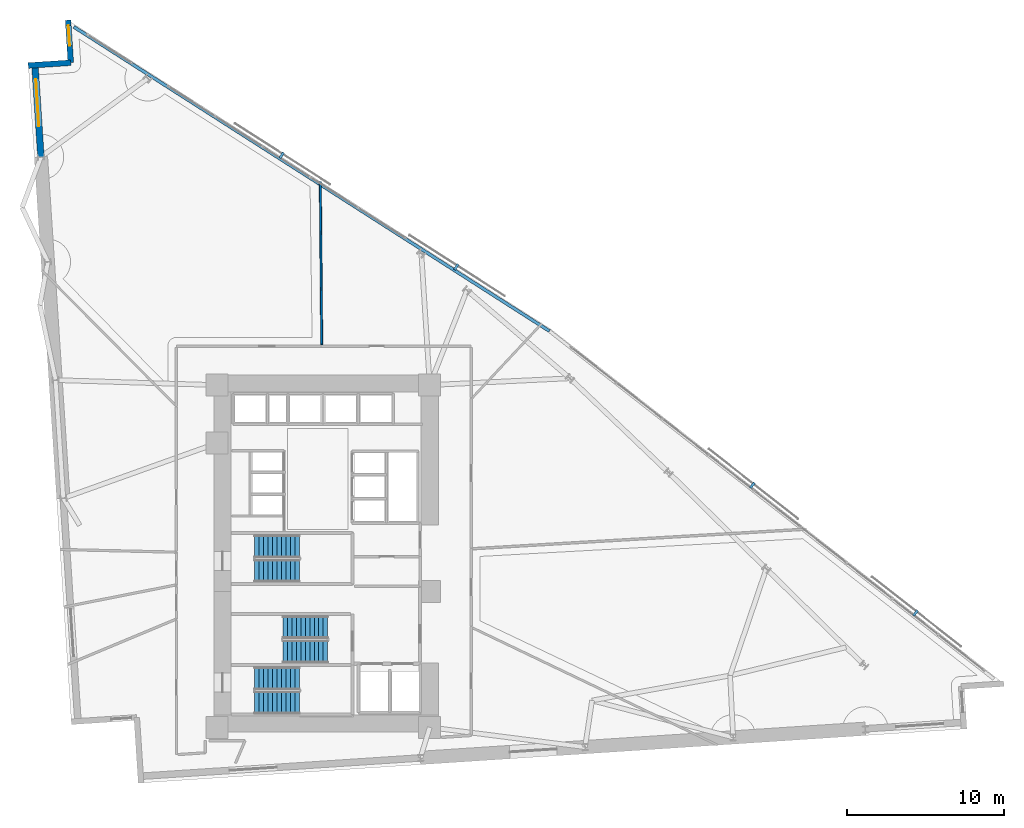
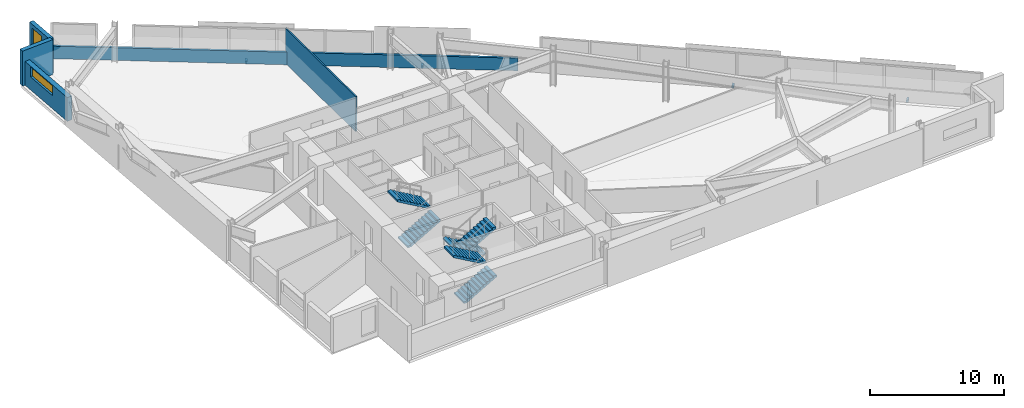
# One storey, part 13 of 15: 6 stair flights, 5 walls, 4 discrete accessories, 2 windows, 2 openings, 3 elements without a shape of their own.
"""IFC4 building model written with IfcOpenShell, lengths in metres."""

from ifc_helpers import new_model, si_unit, direction, frame, frame_2d, origin, origin_2d, place, context, subcontext, project, spatial, polyline, rectangle, outline, extrude, material, layer, layer_set, type_object, element, fill, aggregate, save


model = new_model("IFC4")

# Units and contexts
model_context = context("Model", 3, precision=1e-05, world=origin(), true_north=direction((0.0, 1.0)))
body_context = subcontext(model_context, "Body", "Model", "MODEL_VIEW")
ifc_project = project(units=[si_unit("LENGTHUNIT", "METRE"), si_unit("AREAUNIT", "SQUARE_METRE"), si_unit("VOLUMEUNIT", "CUBIC_METRE"), si_unit("PLANEANGLEUNIT", "RADIAN"), si_unit("MASSUNIT", "GRAM", prefix="KILO")], contexts=[model_context])

# Site, building, storey
site_placement = place(None, origin())
site = spatial("IfcSite", under=ifc_project, at=site_placement, CompositionType="ELEMENT")
building_placement = place(site_placement, origin())
building = spatial("IfcBuilding", under=site, at=building_placement, Name="Narakoshi Arena Tower", CompositionType="ELEMENT")
storey_placement = place(building_placement, frame((0.0, 0.0, 92.10009765625)))
storey = spatial("IfcBuildingStorey", under=building, at=storey_placement, Name="L24", CompositionType="ELEMENT", Elevation=92.10009765625)

# Walls
ifc_material_1 = material(Name="Precast concrete C45/55", Category="concrete")
ifc_layer_1 = layer(ifc_material_1, 0.25)
ifc_layer_set_1 = layer_set([ifc_layer_1], Name="Precast concrete C45/55")
wall_type_1 = type_object("IfcWallType", Name="WL-PARA-250", PredefinedType="PARAPET", material=ifc_layer_set_1)
wall_1_placement = place(storey_placement, frame((93.176025390625, 59.93896484375, 0.0), z_axis=(0.0, 0.0, 1.0), x_axis=(-0.842412534527, 0.53883311115, 0.0)))
element("IfcWall", 1, at=wall_1_placement, inside=storey, type_object=wall_type_1, Name="L24 Hypotenuse Sill Upstand Parapet 2-01", PredefinedType="PARAPET", context=body_context, shape_type="SweptSolid", body=[
    extrude(rectangle(XDim=35.964111328125, YDim=0.199951171875, at=frame_2d((17.98193359375, 0.0))), origin(), (0.0, 0.0, 1.0), 1.14990234375),
])
ifc_material_2 = material(Name="Gypsum plasterboard fire-rated partition")
ifc_layer_2 = layer(ifc_material_2, 0.125)
ifc_layer_set_2 = layer_set([ifc_layer_2], Name="Gypsum plasterboard fire-rated partition")
wall_type_2 = type_object("IfcWallType", Name="WL-PART-125", PredefinedType="PARTITIONING", material=ifc_layer_set_2)
wall_2_placement = place(storey_placement, frame((78.671875, 59.07958984375, 0.0), z_axis=(0.0, 0.0, 1.0), x_axis=(-0.00888561267, 0.999960522164, 0.0)))
element("IfcWall", 2, at=wall_2_placement, inside=storey, type_object=wall_type_2, Name="L24 Inter-Room Partition 07-08", PredefinedType="PARTITIONING", context=body_context, shape_type="SweptSolid", body=[
    extrude(rectangle(XDim=10.385986328125, YDim=0.125, at=frame_2d((5.19287109375, 0.0))), origin(), (0.0, 0.0, 1.0), 3.199951171875),
])

# Wall, opening, window
ifc_layer_3 = layer(ifc_material_1, 0.419921875)
ifc_layer_set_3 = layer_set([ifc_layer_3], Name="Precast concrete C45/55")
wall_type_3 = type_object("IfcWallType", Name="WL-POD-420", PredefinedType="SOLIDWALL", material=ifc_layer_set_3)
wall_3_placement = place(storey_placement, frame((60.40185546875, 76.8828125, 0.0), z_axis=(0.0, 0.0, 1.0), x_axis=(0.065402662459, -0.997858953832, 0.0)))
wall_3 = element("IfcWall", 3, at=wall_3_placement, inside=storey, type_object=wall_type_3, Name="L24 Architectural Concrete Facade Wall LEGB-1", PredefinedType="SOLIDWALL", context=body_context, shape_type="SweptSolid", body=[
    extrude(rectangle(XDim=5.8642578125, YDim=0.419921875, at=frame_2d((2.93212890625, 0.0))), origin(), (0.0, 0.0, 1.0), 2.177001953125),
])
opening_1_placement = place(wall_3_placement, frame((0.89990234375, 0.0, 1.197021484375)))
opening_1 = element("IfcOpeningElement", 4, at=opening_1_placement, cuts=wall_3, Name="Opening WN-03", PredefinedType="OPENING", context=body_context, shape_type="SweptSolid", body=[
    extrude(rectangle(XDim=3.0, YDim=0.89990234375, at=frame_2d((1.5, 0.449951171875))), frame((0.0, 0.219970703125, 0.0), z_axis=(0.0, -1.0, 0.0), x_axis=(1.0, 0.0, 0.0)), (0.0, 0.0, 1.0), 0.43994140625),
])
ifc_material_3 = material(Name="Bronze-tinted low-E laminated glass", Category="glass")
window_type_1 = type_object("IfcWindowType", Name="WIN-SLT-30x09", PartitioningType="SINGLE_PANEL", PredefinedType="WINDOW", material=ifc_material_3)
window_1_placement = place(opening_1_placement, origin())
window_1 = element("IfcWindow", 5, at=window_1_placement, inside=storey, type_object=window_type_1, Name="L24 LEGB1 Horizontal Slot Window 1", OverallHeight=0.89990234375, OverallWidth=3.0, PartitioningType="SINGLE_PANEL", PredefinedType="WINDOW", context=body_context, shape_type="SweptSolid", body=[
    extrude(rectangle(XDim=3.0, YDim=0.89990234375, at=frame_2d((1.5, 0.449951171875))), frame((0.0, 0.030029296875, 0.0), z_axis=(0.0, -1.0, 0.0), x_axis=(1.0, 0.0, 0.0)), (0.0, 0.0, 1.0), 0.06005859375),
])
fill(opening_1, window_1)

wall_4_placement = place(storey_placement, frame((62.5107421875, 79.743408203125, 0.0), z_axis=(0.0, 0.0, 1.0), x_axis=(0.065337885661, -0.997863197386, 0.0)))
wall_4 = element("IfcWall", 6, at=wall_4_placement, inside=storey, type_object=wall_type_3, Name="L24 Re-Entrant Corner Notch Wall NTN-1", PredefinedType="SOLIDWALL", context=body_context, shape_type="SweptSolid", body=[
    extrude(rectangle(XDim=2.716552734375, YDim=0.360107421875, at=frame_2d((1.3583984375, 0.0))), origin(), (0.0, 0.0, 1.0), 3.199951171875),
])
opening_2_placement = place(wall_4_placement, frame((0.340087890625, 0.0, 0.449951171875)))
opening_2 = element("IfcOpeningElement", 7, at=opening_2_placement, cuts=wall_4, Name="Opening WN-06", PredefinedType="OPENING", context=body_context, shape_type="SweptSolid", body=[
    extrude(rectangle(XDim=1.300048828125, YDim=2.39990234375, at=frame_2d((0.64990234375, 1.199951171875))), frame((0.0, 0.18994140625, 0.0), z_axis=(0.0, -1.0, 0.0), x_axis=(1.0, 0.0, 0.0)), (0.0, 0.0, 1.0), 0.380126953125),
])
window_type_2 = type_object("IfcWindowType", Name="WIN-NTC-16x24", PartitioningType="SINGLE_PANEL", PredefinedType="WINDOW", material=ifc_material_3)
window_2_placement = place(opening_2_placement, origin())
window_2 = element("IfcWindow", 8, at=window_2_placement, inside=storey, type_object=window_type_2, Name="L24 Corner Notch Window NTN", OverallHeight=2.39990234375, OverallWidth=1.300048828125, PartitioningType="SINGLE_PANEL", PredefinedType="WINDOW", context=body_context, shape_type="SweptSolid", body=[
    extrude(rectangle(XDim=1.300048828125, YDim=2.39990234375, at=frame_2d((0.64990234375, 1.199951171875))), frame((0.0, 0.030029296875, 0.0), z_axis=(0.0, -1.0, 0.0), x_axis=(1.0, 0.0, 0.0)), (0.0, 0.0, 1.0), 0.06005859375),
])
fill(opening_2, window_2)

# Wall
wall_5_placement = place(storey_placement, frame((62.688232421875, 77.03271484375, 0.0), z_axis=(0.0, 0.0, 1.0), x_axis=(-0.99785694905, -0.065433242561, 0.0)))
element("IfcWall", 9, at=wall_5_placement, inside=storey, type_object=wall_type_3, Name="L24 Re-Entrant Corner Notch Wall NTN-2", PredefinedType="SOLIDWALL", context=body_context, shape_type="SweptSolid", body=[
    extrude(rectangle(XDim=2.71630859375, YDim=0.360107421875, at=frame_2d((1.358154296875, 0.0))), origin(), (0.0, 0.0, 1.0), 3.199951171875),
])

# Stair, stair flights
ifc_material_4 = material(Name="Concrete C45/55", Category="concrete")
stair_type = type_object("IfcStairType", Name="STR-CORE-360", PredefinedType="TWO_STRAIGHT_RUN_STAIR", material=ifc_material_4)
stair_1_placement = place(storey_placement, origin())
stair_1 = element("IfcStair", 10, at=stair_1_placement, inside=storey, type_object=stair_type, Name="L24 Core Escape Stair ST1", PredefinedType="TWO_STRAIGHT_RUN_STAIR")
stair_flight_type = type_object("IfcStairFlightType", Name="FLT-145-160", PredefinedType="STRAIGHT", material=ifc_material_1)
stair_flight_1_placement = place(storey_placement, frame((74.39990234375, 36.27490234375, 0.0), z_axis=(0.0, 0.0, 1.0), x_axis=(1.0, 0.0, 0.0)))
stair_flight_1 = element("IfcStairFlight", 11, at=stair_flight_1_placement, type_object=stair_flight_type, Name="ST1 flight 1", NumberOfRisers=11, NumberOfTreads=10, PredefinedType="STRAIGHT", RiserHeight=0.163636364, TreadLength=0.285, context=body_context, shape_type="SweptSolid", body=[
    extrude(outline(polyline([(0.0, 0.0), (0.0, 0.16357421875), (0.284912109375, 0.16357421875), (0.284912109375, 0.327392578125), (0.570068359375, 0.327392578125), (0.570068359375, 0.490966796875), (0.85498046875, 0.490966796875), (0.85498046875, 0.654541015625), (1.139892578125, 0.654541015625), (1.139892578125, 0.818115234375), (1.425048828125, 0.818115234375), (1.425048828125, 0.98193359375), (1.7099609375, 0.98193359375), (1.7099609375, 1.1455078125), (1.9951171875, 1.1455078125), (1.9951171875, 1.30908203125), (2.280029296875, 1.30908203125), (2.280029296875, 1.47265625), (2.56494140625, 1.47265625), (2.56494140625, 1.636474609375), (2.85009765625, 1.636474609375), (2.85009765625, 1.800048828125), (2.85009765625, 1.463623046875), (0.301025390625, 0.0), (0.0, 0.0)])), frame((0.0, 0.72509765625, 0.0), z_axis=(0.0, -1.0, 0.0), x_axis=(1.0, 0.0, 0.0)), (0.0, 0.0, 1.0), 1.449951171875),
])
stair_flight_2_placement = place(storey_placement, frame((77.25, 37.824951171875, 1.7998046875), z_axis=(0.0, 0.0, 1.0), x_axis=(-1.0, 0.0, 0.0)))
stair_flight_2 = element("IfcStairFlight", 12, at=stair_flight_2_placement, type_object=stair_flight_type, Name="ST1 flight 2", NumberOfRisers=11, NumberOfTreads=10, PredefinedType="STRAIGHT", RiserHeight=0.163636364, TreadLength=0.285, context=body_context, shape_type="SweptSolid", body=[
    extrude(outline(polyline([(0.0, 0.0), (0.0, 0.16357421875), (0.284912109375, 0.16357421875), (0.284912109375, 0.327392578125), (0.570068359375, 0.327392578125), (0.570068359375, 0.490966796875), (0.85498046875, 0.490966796875), (0.85498046875, 0.654541015625), (1.139892578125, 0.654541015625), (1.139892578125, 0.818115234375), (1.425048828125, 0.818115234375), (1.425048828125, 0.98193359375), (1.7099609375, 0.98193359375), (1.7099609375, 1.1455078125), (1.9951171875, 1.1455078125), (1.9951171875, 1.30908203125), (2.280029296875, 1.30908203125), (2.280029296875, 1.47265625), (2.56494140625, 1.47265625), (2.56494140625, 1.636474609375), (2.85009765625, 1.636474609375), (2.85009765625, 1.800048828125), (2.85009765625, 1.463623046875), (0.301025390625, 0.0), (0.0, 0.0)])), frame((0.0, 0.72509765625, 0.0), z_axis=(0.0, -1.0, 0.0), x_axis=(1.0, 0.0, 0.0)), (0.0, 0.0, 1.0), 1.449951171875),
])
aggregate(stair_1, [stair_flight_1, stair_flight_2])

stair_2_placement = place(storey_placement, origin())
stair_2 = element("IfcStair", 13, at=stair_2_placement, inside=storey, type_object=stair_type, Name="L24 Core Escape Stair ST2", PredefinedType="TWO_STRAIGHT_RUN_STAIR")
stair_flight_3_placement = place(storey_placement, frame((79.050048828125, 41.074951171875, 0.0), z_axis=(0.0, 0.0, 1.0), x_axis=(-1.0, 0.0, 0.0)))
stair_flight_3 = element("IfcStairFlight", 14, at=stair_flight_3_placement, type_object=stair_flight_type, Name="ST2 flight 1", NumberOfRisers=11, NumberOfTreads=10, PredefinedType="STRAIGHT", RiserHeight=0.163636364, TreadLength=0.285, context=body_context, shape_type="SweptSolid", body=[
    extrude(outline(polyline([(0.0, 0.0), (0.0, 0.16357421875), (0.284912109375, 0.16357421875), (0.284912109375, 0.327392578125), (0.570068359375, 0.327392578125), (0.570068359375, 0.490966796875), (0.85498046875, 0.490966796875), (0.85498046875, 0.654541015625), (1.139892578125, 0.654541015625), (1.139892578125, 0.818115234375), (1.425048828125, 0.818115234375), (1.425048828125, 0.98193359375), (1.7099609375, 0.98193359375), (1.7099609375, 1.1455078125), (1.9951171875, 1.1455078125), (1.9951171875, 1.30908203125), (2.280029296875, 1.30908203125), (2.280029296875, 1.47265625), (2.56494140625, 1.47265625), (2.56494140625, 1.636474609375), (2.85009765625, 1.636474609375), (2.85009765625, 1.800048828125), (2.85009765625, 1.463623046875), (0.301025390625, 0.0), (0.0, 0.0)])), frame((0.0, 0.72509765625, 0.0), z_axis=(0.0, -1.0, 0.0), x_axis=(1.0, 0.0, 0.0)), (0.0, 0.0, 1.0), 1.449951171875),
])
stair_flight_4_placement = place(storey_placement, frame((76.199951171875, 39.52490234375, 1.7998046875), z_axis=(0.0, 0.0, 1.0), x_axis=(1.0, 0.0, 0.0)))
stair_flight_4 = element("IfcStairFlight", 15, at=stair_flight_4_placement, type_object=stair_flight_type, Name="ST2 flight 2", NumberOfRisers=11, NumberOfTreads=10, PredefinedType="STRAIGHT", RiserHeight=0.163636364, TreadLength=0.285, context=body_context, shape_type="SweptSolid", body=[
    extrude(outline(polyline([(0.0, 0.0), (0.0, 0.16357421875), (0.284912109375, 0.16357421875), (0.284912109375, 0.327392578125), (0.570068359375, 0.327392578125), (0.570068359375, 0.490966796875), (0.85498046875, 0.490966796875), (0.85498046875, 0.654541015625), (1.139892578125, 0.654541015625), (1.139892578125, 0.818115234375), (1.425048828125, 0.818115234375), (1.425048828125, 0.98193359375), (1.7099609375, 0.98193359375), (1.7099609375, 1.1455078125), (1.9951171875, 1.1455078125), (1.9951171875, 1.30908203125), (2.280029296875, 1.30908203125), (2.280029296875, 1.47265625), (2.56494140625, 1.47265625), (2.56494140625, 1.636474609375), (2.85009765625, 1.636474609375), (2.85009765625, 1.800048828125), (2.85009765625, 1.463623046875), (0.301025390625, 0.0), (0.0, 0.0)])), frame((0.0, 0.72509765625, 0.0), z_axis=(0.0, -1.0, 0.0), x_axis=(1.0, 0.0, 0.0)), (0.0, 0.0, 1.0), 1.449951171875),
])
aggregate(stair_2, [stair_flight_3, stair_flight_4])

stair_3_placement = place(storey_placement, origin())
stair_3 = element("IfcStair", 16, at=stair_3_placement, inside=storey, type_object=stair_type, Name="L24 Core Escape Stair ST3", PredefinedType="TWO_STRAIGHT_RUN_STAIR")
stair_flight_5_placement = place(storey_placement, frame((74.39990234375, 44.675048828125, 0.0), z_axis=(0.0, 0.0, 1.0), x_axis=(1.0, 0.0, 0.0)))
stair_flight_5 = element("IfcStairFlight", 17, at=stair_flight_5_placement, type_object=stair_flight_type, Name="ST3 flight 1", NumberOfRisers=11, NumberOfTreads=10, PredefinedType="STRAIGHT", RiserHeight=0.163636364, TreadLength=0.285, context=body_context, shape_type="SweptSolid", body=[
    extrude(outline(polyline([(0.0, 0.0), (0.0, 0.16357421875), (0.284912109375, 0.16357421875), (0.284912109375, 0.327392578125), (0.570068359375, 0.327392578125), (0.570068359375, 0.490966796875), (0.85498046875, 0.490966796875), (0.85498046875, 0.654541015625), (1.139892578125, 0.654541015625), (1.139892578125, 0.818115234375), (1.425048828125, 0.818115234375), (1.425048828125, 0.98193359375), (1.7099609375, 0.98193359375), (1.7099609375, 1.1455078125), (1.9951171875, 1.1455078125), (1.9951171875, 1.30908203125), (2.280029296875, 1.30908203125), (2.280029296875, 1.47265625), (2.56494140625, 1.47265625), (2.56494140625, 1.636474609375), (2.85009765625, 1.636474609375), (2.85009765625, 1.800048828125), (2.85009765625, 1.463623046875), (0.301025390625, 0.0), (0.0, 0.0)])), frame((0.0, 0.72509765625, 0.0), z_axis=(0.0, -1.0, 0.0), x_axis=(1.0, 0.0, 0.0)), (0.0, 0.0, 1.0), 1.449951171875),
])
stair_flight_6_placement = place(storey_placement, frame((77.25, 46.22509765625, 1.7998046875), z_axis=(0.0, 0.0, 1.0), x_axis=(-1.0, 0.0, 0.0)))
stair_flight_6 = element("IfcStairFlight", 18, at=stair_flight_6_placement, type_object=stair_flight_type, Name="ST3 flight 2", NumberOfRisers=11, NumberOfTreads=10, PredefinedType="STRAIGHT", RiserHeight=0.163636364, TreadLength=0.285, context=body_context, shape_type="SweptSolid", body=[
    extrude(outline(polyline([(0.0, 0.0), (0.0, 0.16357421875), (0.284912109375, 0.16357421875), (0.284912109375, 0.327392578125), (0.570068359375, 0.327392578125), (0.570068359375, 0.490966796875), (0.85498046875, 0.490966796875), (0.85498046875, 0.654541015625), (1.139892578125, 0.654541015625), (1.139892578125, 0.818115234375), (1.425048828125, 0.818115234375), (1.425048828125, 0.98193359375), (1.7099609375, 0.98193359375), (1.7099609375, 1.1455078125), (1.9951171875, 1.1455078125), (1.9951171875, 1.30908203125), (2.280029296875, 1.30908203125), (2.280029296875, 1.47265625), (2.56494140625, 1.47265625), (2.56494140625, 1.636474609375), (2.85009765625, 1.636474609375), (2.85009765625, 1.800048828125), (2.85009765625, 1.463623046875), (0.301025390625, 0.0), (0.0, 0.0)])), frame((0.0, 0.72509765625, 0.0), z_axis=(0.0, -1.0, 0.0), x_axis=(1.0, 0.0, 0.0)), (0.0, 0.0, 1.0), 1.449951171875),
])
aggregate(stair_3, [stair_flight_5, stair_flight_6])

# Discrete accessories
ifc_material_5 = material(Name="Structural steel S355J2", Category="steel")
discrete_accessory_type = type_object("IfcDiscreteAccessoryType", Name="ACC-BRK-SCR", PredefinedType="BRACKET", material=ifc_material_5)
for number, where, z_axis, x_axis, name in (
    (19, (116.497314453125, 41.984375, -0.080078125), (0.0, 0.0, 1.0), (-0.787387121413, 0.616458855912, 0.0), "L24 Solar Screen Support Bracket SHD-L24-SCR1-1"),
    (20, (106.103759765625, 50.12158203125, -0.080078125), (0.0, 0.0, 1.0), (-0.787387121413, 0.616458855912, 0.0), "L24 Solar Screen Support Bracket SHD-L24-SCR1-2"),
    (21, (87.239990234375, 64.020751953125, -0.080078125), (0.0, 0.0, 1.0), (-0.842414781658, 0.538829597966, 0.0), "L24 Solar Screen Support Bracket SHD-L24-SCR2-1"),
    (22, (76.1201171875, 71.13330078125, -0.080078125), (0.0, 0.0, 1.0), (-0.842414781658, 0.538829597966, 0.0), "L24 Solar Screen Support Bracket SHD-L24-SCR2-2"),
):
    element("IfcDiscreteAccessory", number, at=place(storey_placement, frame(where, z_axis=z_axis, x_axis=x_axis)), inside=storey, type_object=discrete_accessory_type, Name=name, PredefinedType="BRACKET", context=body_context, shape_type="SweptSolid", body=[
        extrude(rectangle(XDim=0.159912109375, YDim=0.425048828125, at=origin_2d()), origin(), (0.0, 0.0, 1.0), 0.199951171875),
    ])

save(model, "model.ifc")
